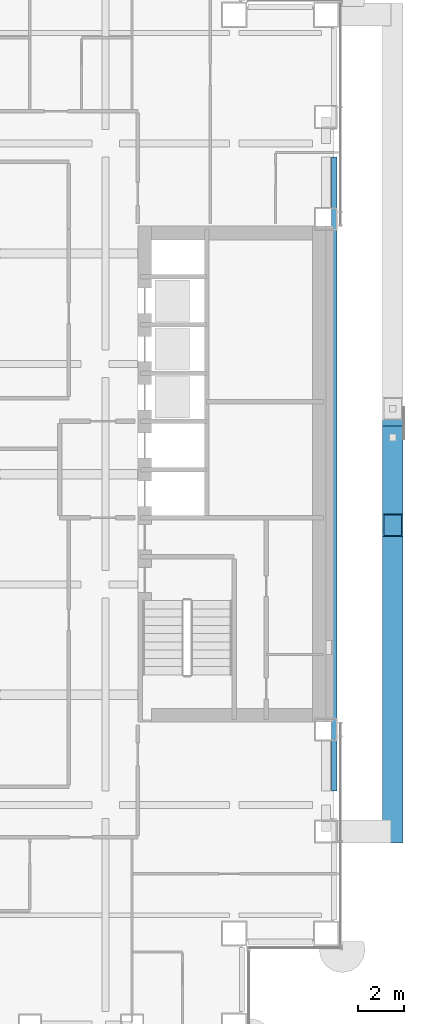
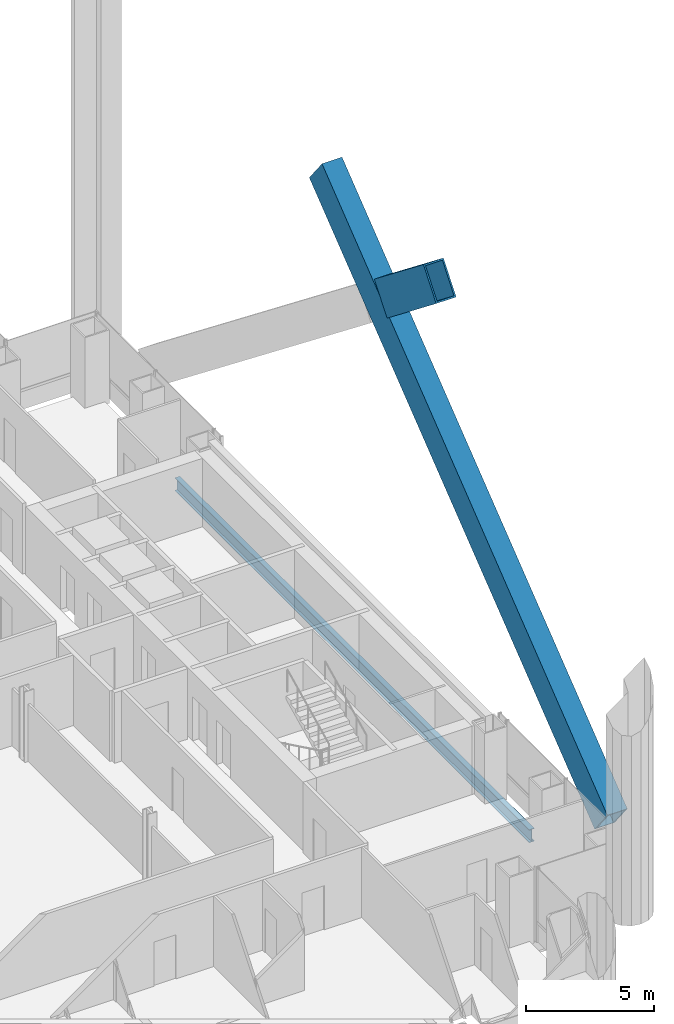
# One storey, part 8 of 28: 2 members, 1 beam.
"""IFC4 building model written with IfcOpenShell, lengths in metres."""

from ifc_helpers import new_model, si_unit, direction, frame, origin, origin_2d, place, context, subcontext, project, spatial, hollow_rectangle, i_section, extrude, material, material_profile, profile_set, type_object, element, save


model = new_model("IFC4")

# Units and contexts
model_context = context("Model", 3, precision=1e-05, world=origin(), true_north=direction((0.0, 1.0)))
body_context = subcontext(model_context, "Body", "Model", "MODEL_VIEW")
ifc_project = project(units=[si_unit("LENGTHUNIT", "METRE"), si_unit("AREAUNIT", "SQUARE_METRE"), si_unit("VOLUMEUNIT", "CUBIC_METRE"), si_unit("PLANEANGLEUNIT", "RADIAN"), si_unit("MASSUNIT", "GRAM", prefix="KILO")], contexts=[model_context])

# Site, building, storey
site_placement = place(None, origin())
site = spatial("IfcSite", under=ifc_project, at=site_placement, CompositionType="ELEMENT")
building_placement = place(site_placement, origin())
building = spatial("IfcBuilding", under=site, at=building_placement, Name="Cobrizo Arcos Hotel Tower", CompositionType="ELEMENT")
storey_placement = place(building_placement, frame((0.0, 0.0, 39.0)))
storey = spatial("IfcBuildingStorey", under=building, at=storey_placement, Name="L07", CompositionType="ELEMENT", Elevation=39.0)

# Members
ifc_material_1 = material(Name="Steel ASTM A572 Grade 50", Category="steel")
ifc_material_profile_1 = material_profile(ifc_material_1, hollow_rectangle(XDim=0.89990234375, YDim=1.60009765625, WallThickness=0.070068359375, at=origin_2d()), Name="BOX 900X1600X70")
ifc_profile_set_1 = profile_set([ifc_material_profile_1], Name="Steel ASTM A572 Grade 50")
member_type = type_object("IfcMemberType", Name="BOX 900X1600X70 perimeter brace", PredefinedType="BRACE", material=ifc_profile_set_1)
member_1_placement = place(storey_placement, frame((26.89990234375, -15.5556640625, 0.5), z_axis=(0.0, 0.785638884307, 0.618685334774), x_axis=(-1.0, 0.0, 0.0)))
element("IfcMember", 1, at=member_1_placement, inside=storey, type_object=member_type, Name="Perimeter brace PBR1, zone Z1, east face, no. 00", PredefinedType="BRACE", context=body_context, shape_type="SweptSolid", body=[
    extrude(hollow_rectangle(XDim=0.89990234375, YDim=1.60009765625, WallThickness=0.070068359375, at=origin_2d()), origin(), (0.0, 0.0, 1.0), 28.285888671875),
])
member_2_placement = place(storey_placement, frame((26.89990234375, 1.599365234375, 14.990478515625), z_axis=(0.0, -0.785629910753, 0.618696729691), x_axis=(1.0, 0.0, 0.0)))
element("IfcMember", 2, at=member_2_placement, inside=storey, type_object=member_type, Name="Perimeter brace PBR1, zone Z1, east face, no. 01b", PredefinedType="BRACE", context=body_context, shape_type="SweptSolid", body=[
    extrude(hollow_rectangle(XDim=0.89990234375, YDim=1.60009765625, WallThickness=0.070068359375, at=origin_2d()), origin(), (0.0, 0.0, 1.0), 4.8642578125),
])

# Beam
ifc_material_2 = material(Name="Steel ASTM A992 Grade 50", Category="steel")
ifc_material_profile_2 = material_profile(ifc_material_2, i_section(OverallWidth=0.23046875, OverallDepth=0.6171875, WebThickness=0.01318359375, FlangeThickness=0.022216796875, at=origin_2d()), Name="W24X94")
ifc_profile_set_2 = profile_set([ifc_material_profile_2], Name="Steel ASTM A992 Grade 50")
beam_type = type_object("IfcBeamType", Name="W24X94 spandrel", PredefinedType="SPANDREL", material=ifc_profile_set_2)
beam_placement = place(storey_placement, frame((24.35009765625, 13.800048828125, -0.45849609375), z_axis=(0.0, -1.0, 0.0), x_axis=(1.0, 0.0, 0.0)))
element("IfcBeam", 3, at=beam_placement, inside=storey, type_object=beam_type, Name="Spandrel beam W24X94, L07, no. 014", PredefinedType="SPANDREL", context=body_context, shape_type="SweptSolid", body=[
    extrude(i_section(OverallWidth=0.23046875, OverallDepth=0.6171875, WebThickness=0.01318359375, FlangeThickness=0.022216796875, at=origin_2d()), origin(), (0.0, 0.0, 1.0), 27.60009765625),
])

save(model, "model.ifc")
